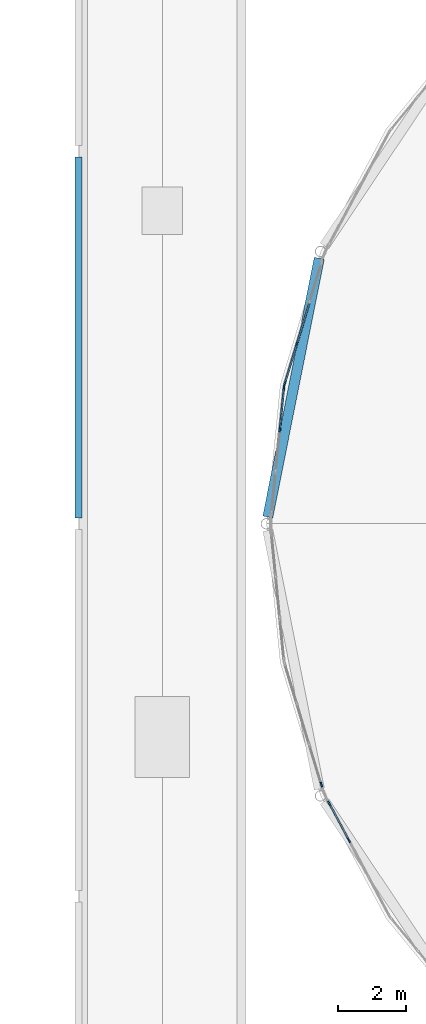
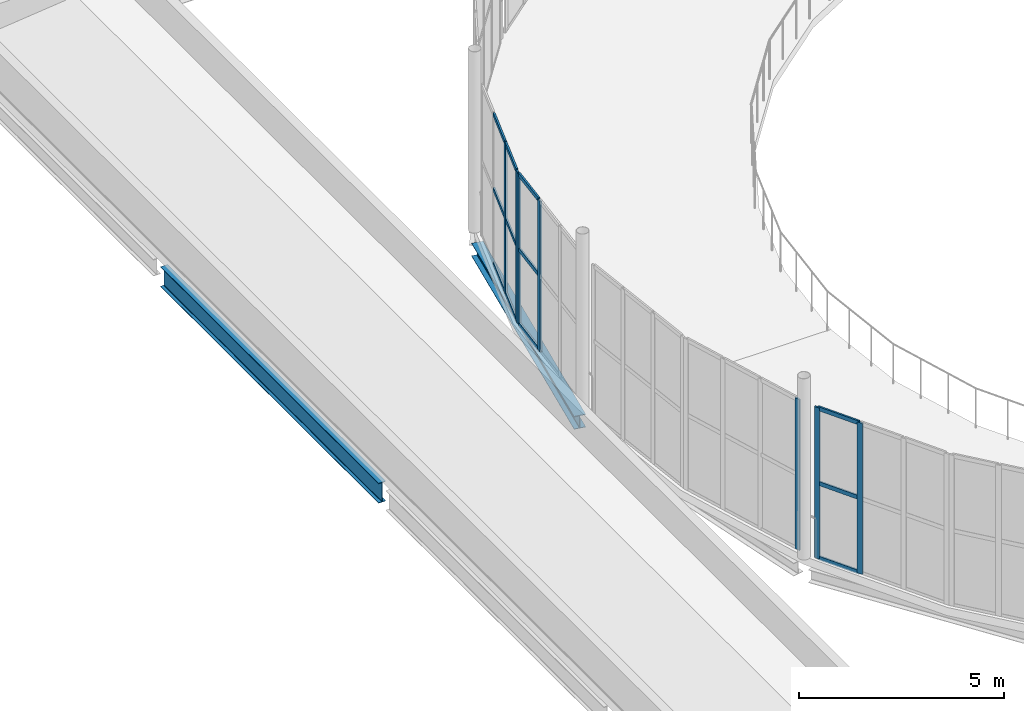
# One storey, part 27 of 112: 19 members, 2 beams, 4 elements without a shape of their own.
"""IFC4 building model written with IfcOpenShell, lengths in metres."""

from ifc_helpers import new_model, si_unit, direction, frame, origin, origin_2d, place, context, subcontext, project, spatial, rectangle, i_section, extrude, material, layer, layer_set, material_profile, profile_set, type_object, element, aggregate, save


model = new_model("IFC4")

# Units and contexts
model_context = context("Model", 3, precision=1e-05, world=origin(), true_north=direction((0.0, 1.0)))
body_context = subcontext(model_context, "Body", "Model", "MODEL_VIEW")
ifc_project = project(units=[si_unit("LENGTHUNIT", "METRE"), si_unit("AREAUNIT", "SQUARE_METRE"), si_unit("VOLUMEUNIT", "CUBIC_METRE"), si_unit("PLANEANGLEUNIT", "RADIAN"), si_unit("MASSUNIT", "GRAM", prefix="KILO")], contexts=[model_context])

# Site, building, storey
site_placement = place(None, origin())
site = spatial("IfcSite", under=ifc_project, at=site_placement, CompositionType="ELEMENT")
building_placement = place(site_placement, origin())
building = spatial("IfcBuilding", under=site, at=building_placement, Name="Yeouljin Market Hall", CompositionType="ELEMENT")
storey_placement = place(building_placement, frame((0.0, 0.0, 6.0)))
storey = spatial("IfcBuildingStorey", under=building, at=storey_placement, Name="L01", CompositionType="ELEMENT", Elevation=6.0)

# Beams
ifc_material_1 = material(Name="Steel SM355", Category="steel")
ifc_material_profile_1 = material_profile(ifc_material_1, i_section(OverallWidth=0.300048828125, OverallDepth=0.389892578125, WebThickness=0.010009765625, FlangeThickness=0.01611328125, FilletRadius=0.01806640625, at=origin_2d()), Name="H-390x300x10x16")
ifc_profile_set_1 = profile_set([ifc_material_profile_1], Name="Steel SM355")
beam_type_1 = type_object("IfcBeamType", Name="Beam_H-390x300x10x16", PredefinedType="BEAM", material=ifc_profile_set_1)
beam_1_placement = place(storey_placement, frame((14.439697265625, 57.19921875, -0.43994140625), z_axis=(0.195091123781, 0.980785120922, 0.0), x_axis=(-0.980785120922, 0.195091123781, 0.0)))
element("IfcBeam", 1, at=beam_1_placement, inside=storey, type_object=beam_type_1, Name="Apse ring beam L01 246", PredefinedType="BEAM", context=body_context, shape_type="SweptSolid", body=[
    extrude(i_section(OverallWidth=0.300048828125, OverallDepth=0.389892578125, WebThickness=0.010009765625, FlangeThickness=0.01611328125, FilletRadius=0.01806640625, at=origin_2d()), origin(), (0.0, 0.0, 1.0), 7.78759765625),
])
ifc_material_2 = material(Name="Steel SM355", Category="steel")
ifc_material_profile_2 = material_profile(ifc_material_2, i_section(OverallWidth=0.199951171875, OverallDepth=0.60009765625, WebThickness=0.010986328125, FlangeThickness=0.01708984375, FilletRadius=0.02197265625, at=origin_2d()), Name="H-600x200x11x17")
ifc_profile_set_2 = profile_set([ifc_material_profile_2], Name="Steel SM355")
beam_type_2 = type_object("IfcBeamType", Name="Beam_H-600x200x11x17", PredefinedType="BEAM", material=ifc_profile_set_2)
beam_2_placement = place(storey_placement, frame((8.85009765625, 57.175048828125, -0.56494140625), z_axis=(0.0, 1.0, 0.0), x_axis=(-1.0, 0.0, 0.0)))
element("IfcBeam", 2, at=beam_2_placement, inside=storey, type_object=beam_type_2, Name="Primary beam BM-L01-Y134", PredefinedType="BEAM", context=body_context, shape_type="SweptSolid", body=[
    extrude(i_section(OverallWidth=0.199951171875, OverallDepth=0.60009765625, WebThickness=0.010986328125, FlangeThickness=0.01708984375, FilletRadius=0.02197265625, at=origin_2d()), origin(), (0.0, 0.0, 1.0), 10.64990234375),
])

# Curtain wall, members
ifc_material_3 = material(Name="Thermally Broken Aluminium", Category="aluminium")
ifc_layer = layer(ifc_material_3, 0.179931640625)
ifc_layer_set = layer_set([ifc_layer], Name="Thermally Broken Aluminium")
curtain_wall_type = type_object("IfcCurtainWallType", Name="CW_ApseCurved_System", PredefinedType="USERDEFINED", material=ifc_layer_set)
curtain_wall_1_placement = place(storey_placement, origin())
curtain_wall_1 = element("IfcCurtainWall", 3, at=curtain_wall_1_placement, inside=storey, type_object=curtain_wall_type, Name="Curtain wall CW-AP-WL01-06", ObjectType="CURTAIN WALL", PredefinedType="USERDEFINED")
ifc_material_4 = material(Name="Thermally Broken Aluminium", Category="aluminium")
ifc_material_profile_3 = material_profile(ifc_material_4, rectangle(XDim=0.048095703125, YDim=0.14990234375, at=origin_2d()), Name="CW-MULL-48x150")
ifc_profile_set_3 = profile_set([ifc_material_profile_3], Name="Thermally Broken Aluminium")
member_type_1 = type_object("IfcMemberType", Name="CWMullion_48x150", PredefinedType="MULLION", material=ifc_profile_set_3)
member_1_placement = place(storey_placement, frame((16.834228515625, 47.653564453125, 0.0), z_axis=(0.0, 0.0, 1.0), x_axis=(-0.881931478712, -0.471377626598, 0.0)))
member_1 = element("IfcMember", 4, at=member_1_placement, type_object=member_type_1, Name="CW-03 mullion 3", PredefinedType="MULLION", context=body_context, shape_type="SweptSolid", body=[
    extrude(rectangle(XDim=0.048095703125, YDim=0.14990234375, at=origin_2d()), origin(), (0.0, 0.0, 1.0), 4.5),
])
member_2_placement = place(storey_placement, frame((16.252685546875, 48.741455078125, 0.0), z_axis=(0.0, 0.0, 1.0), x_axis=(-0.881931478712, -0.471377626598, 0.0)))
member_2 = element("IfcMember", 5, at=member_2_placement, type_object=member_type_1, Name="CW-03 mullion 4", PredefinedType="MULLION", context=body_context, shape_type="SweptSolid", body=[
    extrude(rectangle(XDim=0.048095703125, YDim=0.14990234375, at=origin_2d()), origin(), (0.0, 0.0, 1.0), 4.5),
])

# Curtain wall, member
curtain_wall_2_placement = place(storey_placement, origin())
curtain_wall_2 = element("IfcCurtainWall", 6, at=curtain_wall_2_placement, inside=storey, type_object=curtain_wall_type, Name="Curtain wall CW-AP-WL01-07", ObjectType="CURTAIN WALL", PredefinedType="USERDEFINED")
member_3_placement = place(storey_placement, frame((16.021240234375, 49.300537109375, 0.0), z_axis=(0.0, 0.0, 1.0), x_axis=(-0.95693988447, -0.290286164863, 0.0)))
member_3 = element("IfcMember", 7, at=member_3_placement, type_object=member_type_1, Name="CW-03 mullion 1", PredefinedType="MULLION", context=body_context, shape_type="SweptSolid", body=[
    extrude(rectangle(XDim=0.048095703125, YDim=0.14990234375, at=origin_2d()), origin(), (0.0, 0.0, 1.0), 4.5),
])
aggregate(curtain_wall_2, [member_3])

# Curtain wall, members
curtain_wall_3_placement = place(storey_placement, origin())
curtain_wall_3 = element("IfcCurtainWall", 8, at=curtain_wall_3_placement, inside=storey, type_object=curtain_wall_type, Name="Curtain wall CW-AP-WL01-09", ObjectType="CURTAIN WALL", PredefinedType="USERDEFINED")
member_4_placement = place(storey_placement, frame((14.7939453125, 59.781982421875, 0.0), z_axis=(0.0, 0.0, 1.0), x_axis=(-0.995183051807, 0.09803414403, 0.0)))
member_4 = element("IfcMember", 9, at=member_4_placement, type_object=member_type_1, Name="CW-03 mullion 3", PredefinedType="MULLION", context=body_context, shape_type="SweptSolid", body=[
    extrude(rectangle(XDim=0.048095703125, YDim=0.14990234375, at=origin_2d()), origin(), (0.0, 0.0, 1.0), 4.5),
])
member_5_placement = place(storey_placement, frame((14.9150390625, 61.009765625, 0.0), z_axis=(0.0, 0.0, 1.0), x_axis=(-0.995183051807, 0.09803414403, 0.0)))
member_5 = element("IfcMember", 10, at=member_5_placement, type_object=member_type_1, Name="CW-03 mullion 4", PredefinedType="MULLION", context=body_context, shape_type="SweptSolid", body=[
    extrude(rectangle(XDim=0.048095703125, YDim=0.14990234375, at=origin_2d()), origin(), (0.0, 0.0, 1.0), 4.5),
])

curtain_wall_4_placement = place(storey_placement, origin())
curtain_wall_4 = element("IfcCurtainWall", 11, at=curtain_wall_4_placement, inside=storey, type_object=curtain_wall_type, Name="Curtain wall CW-AP-WL01-10", ObjectType="CURTAIN WALL", PredefinedType="USERDEFINED")
member_6_placement = place(storey_placement, frame((14.939697265625, 61.134765625, 0.0), z_axis=(0.0, 0.0, 1.0), x_axis=(-0.95693988447, 0.290286164863, 0.0)))
member_6 = element("IfcMember", 12, at=member_6_placement, type_object=member_type_1, Name="CW-03 mullion 1", PredefinedType="MULLION", context=body_context, shape_type="SweptSolid", body=[
    extrude(rectangle(XDim=0.048095703125, YDim=0.14990234375, at=origin_2d()), origin(), (0.0, 0.0, 1.0), 4.5),
])
member_7_placement = place(storey_placement, frame((15.2978515625, 62.3154296875, 0.0), z_axis=(0.0, 0.0, 1.0), x_axis=(-0.95693988447, 0.290286164863, 0.0)))
member_7 = element("IfcMember", 13, at=member_7_placement, type_object=member_type_1, Name="CW-03 mullion 2", PredefinedType="MULLION", context=body_context, shape_type="SweptSolid", body=[
    extrude(rectangle(XDim=0.048095703125, YDim=0.14990234375, at=origin_2d()), origin(), (0.0, 0.0, 1.0), 4.5),
])

# Member
ifc_material_5 = material(Name="Thermally Broken Aluminium", Category="aluminium")
ifc_material_profile_4 = material_profile(ifc_material_5, rectangle(XDim=0.048095703125, YDim=0.1201171875, at=origin_2d()), Name="CW-TRAN-48x120")
ifc_profile_set_4 = profile_set([ifc_material_profile_4], Name="Thermally Broken Aluminium")
member_type_2 = type_object("IfcMemberType", Name="CWTransom_48x120", PredefinedType="USERDEFINED", material=ifc_profile_set_4)
member_8_placement = place(storey_placement, frame((16.822998046875, 47.674560546875, 0.02392578125), z_axis=(-0.471421441442, 0.881908059011, 0.0), x_axis=(-0.881908059011, -0.471421441442, 0.0)))
member_8 = element("IfcMember", 14, at=member_8_placement, type_object=member_type_2, Name="CW-03 transom 3.1", ObjectType="TRANSOM", PredefinedType="USERDEFINED", context=body_context, shape_type="SweptSolid", body=[
    extrude(rectangle(XDim=0.048095703125, YDim=0.1201171875, at=origin_2d()), origin(), (0.0, 0.0, 1.0), 1.18603515625),
])

member_9_placement = place(storey_placement, frame((16.822998046875, 47.674560546875, 2.25), z_axis=(-0.471421441442, 0.881908059011, 0.0), x_axis=(-0.881908059011, -0.471421441442, 0.0)))
member_9 = element("IfcMember", 15, at=member_9_placement, type_object=member_type_2, Name="CW-03 transom 3.2", ObjectType="TRANSOM", PredefinedType="USERDEFINED", context=body_context, shape_type="SweptSolid", body=[
    extrude(rectangle(XDim=0.048095703125, YDim=0.1201171875, at=origin_2d()), origin(), (0.0, 0.0, 1.0), 1.18603515625),
])

member_10_placement = place(storey_placement, frame((16.822998046875, 47.674560546875, 4.47607421875), z_axis=(-0.471421441442, 0.881908059011, 0.0), x_axis=(-0.881908059011, -0.471421441442, 0.0)))
member_10 = element("IfcMember", 16, at=member_10_placement, type_object=member_type_2, Name="CW-03 transom 3.3", ObjectType="TRANSOM", PredefinedType="USERDEFINED", context=body_context, shape_type="SweptSolid", body=[
    extrude(rectangle(XDim=0.048095703125, YDim=0.1201171875, at=origin_2d()), origin(), (0.0, 0.0, 1.0), 1.18603515625),
])

aggregate(curtain_wall_1, [member_1, member_2, member_8, member_9, member_10])

member_11_placement = place(storey_placement, frame((14.79638671875, 59.805908203125, 0.02392578125), z_axis=(0.098015314606, 0.995184906489, 0.0), x_axis=(-0.995184906489, 0.098015314606, 0.0)))
member_11 = element("IfcMember", 17, at=member_11_placement, type_object=member_type_2, Name="CW-03 transom 3.1", ObjectType="TRANSOM", PredefinedType="USERDEFINED", context=body_context, shape_type="SweptSolid", body=[
    extrude(rectangle(XDim=0.048095703125, YDim=0.1201171875, at=origin_2d()), origin(), (0.0, 0.0, 1.0), 1.185546875),
])

member_12_placement = place(storey_placement, frame((14.79638671875, 59.805908203125, 2.25), z_axis=(0.098015314606, 0.995184906489, 0.0), x_axis=(-0.995184906489, 0.098015314606, 0.0)))
member_12 = element("IfcMember", 18, at=member_12_placement, type_object=member_type_2, Name="CW-03 transom 3.2", ObjectType="TRANSOM", PredefinedType="USERDEFINED", context=body_context, shape_type="SweptSolid", body=[
    extrude(rectangle(XDim=0.048095703125, YDim=0.1201171875, at=origin_2d()), origin(), (0.0, 0.0, 1.0), 1.185546875),
])

member_13_placement = place(storey_placement, frame((14.79638671875, 59.805908203125, 4.47607421875), z_axis=(0.098015314606, 0.995184906489, 0.0), x_axis=(-0.995184906489, 0.098015314606, 0.0)))
member_13 = element("IfcMember", 19, at=member_13_placement, type_object=member_type_2, Name="CW-03 transom 3.3", ObjectType="TRANSOM", PredefinedType="USERDEFINED", context=body_context, shape_type="SweptSolid", body=[
    extrude(rectangle(XDim=0.048095703125, YDim=0.1201171875, at=origin_2d()), origin(), (0.0, 0.0, 1.0), 1.185546875),
])

aggregate(curtain_wall_3, [member_4, member_5, member_11, member_12, member_13])

member_14_placement = place(storey_placement, frame((14.94677734375, 61.15771484375, 0.02392578125), z_axis=(0.290293088565, 0.956937784149, 0.0), x_axis=(-0.956937784149, 0.290293088565, 0.0)))
member_14 = element("IfcMember", 20, at=member_14_placement, type_object=member_type_2, Name="CW-03 transom 1.1", ObjectType="TRANSOM", PredefinedType="USERDEFINED", context=body_context, shape_type="SweptSolid", body=[
    extrude(rectangle(XDim=0.048095703125, YDim=0.1201171875, at=origin_2d()), origin(), (0.0, 0.0, 1.0), 1.185791015625),
])

member_15_placement = place(storey_placement, frame((14.94677734375, 61.15771484375, 2.25), z_axis=(0.290293088565, 0.956937784149, 0.0), x_axis=(-0.956937784149, 0.290293088565, 0.0)))
member_15 = element("IfcMember", 21, at=member_15_placement, type_object=member_type_2, Name="CW-03 transom 1.2", ObjectType="TRANSOM", PredefinedType="USERDEFINED", context=body_context, shape_type="SweptSolid", body=[
    extrude(rectangle(XDim=0.048095703125, YDim=0.1201171875, at=origin_2d()), origin(), (0.0, 0.0, 1.0), 1.185791015625),
])

member_16_placement = place(storey_placement, frame((14.94677734375, 61.15771484375, 4.47607421875), z_axis=(0.290293088565, 0.956937784149, 0.0), x_axis=(-0.956937784149, 0.290293088565, 0.0)))
member_16 = element("IfcMember", 22, at=member_16_placement, type_object=member_type_2, Name="CW-03 transom 1.3", ObjectType="TRANSOM", PredefinedType="USERDEFINED", context=body_context, shape_type="SweptSolid", body=[
    extrude(rectangle(XDim=0.048095703125, YDim=0.1201171875, at=origin_2d()), origin(), (0.0, 0.0, 1.0), 1.185791015625),
])

member_17_placement = place(storey_placement, frame((15.304931640625, 62.33837890625, 0.02392578125), z_axis=(0.290253878276, 0.956949677959, 0.0), x_axis=(-0.956949677959, 0.290253878276, 0.0)))
member_17 = element("IfcMember", 23, at=member_17_placement, type_object=member_type_2, Name="CW-03 transom 2.1", ObjectType="TRANSOM", PredefinedType="USERDEFINED", context=body_context, shape_type="SweptSolid", body=[
    extrude(rectangle(XDim=0.048095703125, YDim=0.1201171875, at=origin_2d()), origin(), (0.0, 0.0, 1.0), 1.20947265625),
])

member_18_placement = place(storey_placement, frame((15.304931640625, 62.33837890625, 2.25), z_axis=(0.290253878276, 0.956949677959, 0.0), x_axis=(-0.956949677959, 0.290253878276, 0.0)))
member_18 = element("IfcMember", 24, at=member_18_placement, type_object=member_type_2, Name="CW-03 transom 2.2", ObjectType="TRANSOM", PredefinedType="USERDEFINED", context=body_context, shape_type="SweptSolid", body=[
    extrude(rectangle(XDim=0.048095703125, YDim=0.1201171875, at=origin_2d()), origin(), (0.0, 0.0, 1.0), 1.20947265625),
])

member_19_placement = place(storey_placement, frame((15.304931640625, 62.33837890625, 4.47607421875), z_axis=(0.290253878276, 0.956949677959, 0.0), x_axis=(-0.956949677959, 0.290253878276, 0.0)))
member_19 = element("IfcMember", 25, at=member_19_placement, type_object=member_type_2, Name="CW-03 transom 2.3", ObjectType="TRANSOM", PredefinedType="USERDEFINED", context=body_context, shape_type="SweptSolid", body=[
    extrude(rectangle(XDim=0.048095703125, YDim=0.1201171875, at=origin_2d()), origin(), (0.0, 0.0, 1.0), 1.20947265625),
])

aggregate(curtain_wall_4, [member_6, member_7, member_14, member_15, member_16, member_17, member_18, member_19])

save(model, "model.ifc")
